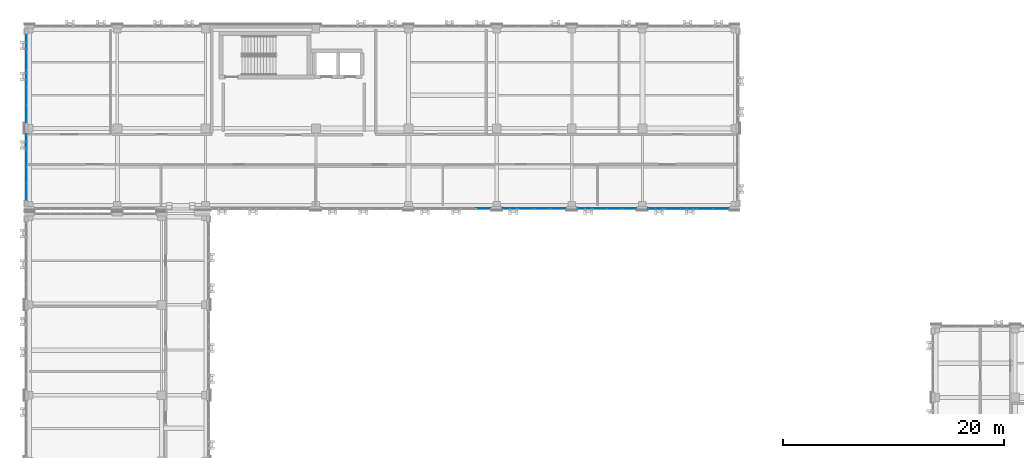
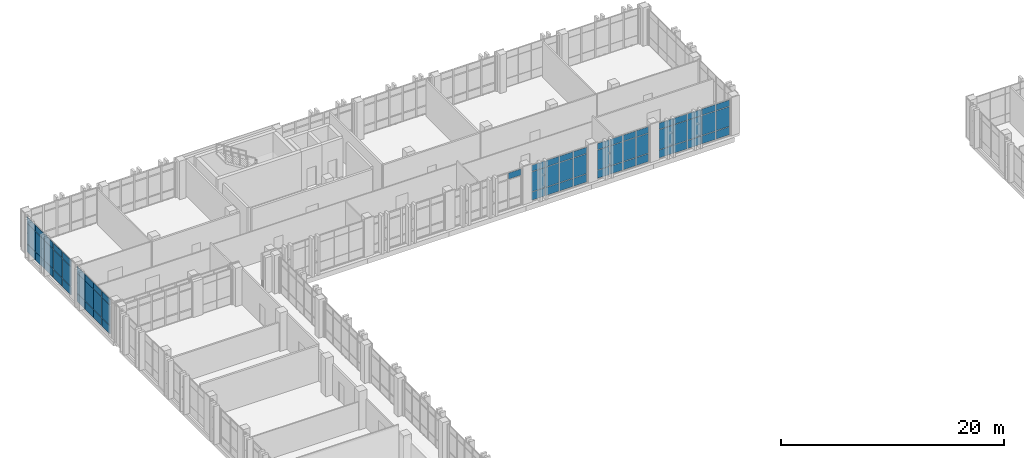
# One storey, part 145 of 193: 67 plates, 6 elements without a shape of their own.
"""IFC4 building model written with IfcOpenShell, lengths in metres."""

from ifc_helpers import new_model, si_unit, direction, frame, origin, origin_2d, place, context, subcontext, project, spatial, rectangle, extrude, material, layer, layer_set, type_object, element, aggregate, save


model = new_model("IFC4")

# Units and contexts
model_context = context("Model", 3, precision=1e-05, world=origin(), true_north=direction((0.0, 1.0)))
body_context = subcontext(model_context, "Body", "Model", "MODEL_VIEW")
ifc_project = project(units=[si_unit("LENGTHUNIT", "METRE"), si_unit("AREAUNIT", "SQUARE_METRE"), si_unit("VOLUMEUNIT", "CUBIC_METRE"), si_unit("PLANEANGLEUNIT", "RADIAN"), si_unit("MASSUNIT", "GRAM", prefix="KILO")], contexts=[model_context])

# Site, building, storey
site_placement = place(None, origin())
site = spatial("IfcSite", under=ifc_project, at=site_placement, CompositionType="ELEMENT")
building_placement = place(site_placement, origin())
building = spatial("IfcBuilding", under=site, at=building_placement, Name="Qalavern Law Courts", CompositionType="ELEMENT")
storey_placement = place(building_placement, frame((0.0, 0.0, 10.199951171875)))
storey = spatial("IfcBuildingStorey", under=building, at=storey_placement, Name="L02", CompositionType="ELEMENT", Elevation=10.199951171875)

# Curtain wall, plate
ifc_material_1 = material(Name="Anodised aluminium and insulated glazing", Category="aluminium")
ifc_layer_1 = layer(ifc_material_1, 0.166015625)
ifc_layer_set_1 = layer_set([ifc_layer_1], Name="Anodised aluminium and insulated glazing")
curtain_wall_type = type_object("IfcCurtainWallType", Name="ENV-CW-LIB", PredefinedType="USERDEFINED", material=ifc_layer_set_1)
curtain_wall_1_placement = place(storey_placement, origin())
curtain_wall_1 = element("IfcCurtainWall", 1, at=curtain_wall_1_placement, inside=storey, type_object=curtain_wall_type, Name="V5 unitised curtain wall L02 south 3", ObjectType="UNITISED CURTAIN WALL", PredefinedType="USERDEFINED")
ifc_material_2 = material(Name="Insulated low-E acoustic glazing", Category="glass")
ifc_layer_2 = layer(ifc_material_2, 0.028076171875)
ifc_layer_set_2 = layer_set([ifc_layer_2], Name="Insulated low-E acoustic glazing")
plate_type_1 = type_object("IfcPlateType", Name="ENV-CWP-28", PredefinedType="CURTAIN_PANEL", material=ifc_layer_set_2)
plate_1_placement = place(storey_placement, frame((43.587890625, 96.35498046875, 3.18896484375), z_axis=(0.0, 0.0, 1.0), x_axis=(1.0, 0.0, 0.0)))
plate_1 = element("IfcPlate", 2, at=plate_1_placement, type_object=plate_type_1, Name="CW-05 panel 5.3", PredefinedType="CURTAIN_PANEL", context=body_context, shape_type="SweptSolid", body=[
    extrude(rectangle(XDim=1.327880859375, YDim=0.028076171875, at=origin_2d()), origin(), (0.0, 0.0, 1.0), 0.677978515625),
])
aggregate(curtain_wall_1, [plate_1])

# Curtain wall, plates
curtain_wall_2_placement = place(storey_placement, origin())
curtain_wall_2 = element("IfcCurtainWall", 3, at=curtain_wall_2_placement, inside=storey, type_object=curtain_wall_type, Name="V5 unitised curtain wall L02 south 4", ObjectType="UNITISED CURTAIN WALL", PredefinedType="USERDEFINED")
ifc_layer_3 = layer(ifc_material_2, 0.031982421875)
ifc_layer_set_3 = layer_set([ifc_layer_3], Name="Insulated low-E acoustic glazing")
plate_type_2 = type_object("IfcPlateType", Name="ENV-CWP-32", PredefinedType="CURTAIN_PANEL", material=ifc_layer_set_3)
plate_2_placement = place(storey_placement, frame((46.037109375, 96.35498046875, 0.048095703125), z_axis=(0.0, 0.0, 1.0), x_axis=(1.0, 0.0, 0.0)))
plate_2 = element("IfcPlate", 4, at=plate_2_placement, type_object=plate_type_2, Name="CW-05 panel 1.1", PredefinedType="CURTAIN_PANEL", context=body_context, shape_type="SweptSolid", body=[
    extrude(rectangle(XDim=1.3779296875, YDim=0.031982421875, at=origin_2d()), origin(), (0.0, 0.0, 1.0), 0.8779296875),
])
plate_3_placement = place(storey_placement, frame((46.037109375, 96.35498046875, 0.97412109375), z_axis=(0.0, 0.0, 1.0), x_axis=(1.0, 0.0, 0.0)))
plate_3 = element("IfcPlate", 5, at=plate_3_placement, type_object=plate_type_2, Name="CW-05 panel 1.2", PredefinedType="CURTAIN_PANEL", context=body_context, shape_type="SweptSolid", body=[
    extrude(rectangle(XDim=1.3779296875, YDim=0.031982421875, at=origin_2d()), origin(), (0.0, 0.0, 1.0), 2.1669921875),
])
plate_4_placement = place(storey_placement, frame((46.037109375, 96.35498046875, 3.18896484375), z_axis=(0.0, 0.0, 1.0), x_axis=(1.0, 0.0, 0.0)))
plate_4 = element("IfcPlate", 6, at=plate_4_placement, type_object=plate_type_2, Name="CW-05 panel 1.3", PredefinedType="CURTAIN_PANEL", context=body_context, shape_type="SweptSolid", body=[
    extrude(rectangle(XDim=1.3779296875, YDim=0.031982421875, at=origin_2d()), origin(), (0.0, 0.0, 1.0), 0.677978515625),
])
plate_5_placement = place(storey_placement, frame((47.47509765625, 96.35498046875, 0.048095703125), z_axis=(0.0, 0.0, 1.0), x_axis=(1.0, 0.0, 0.0)))
plate_5 = element("IfcPlate", 7, at=plate_5_placement, type_object=plate_type_2, Name="CW-05 panel 2.1", PredefinedType="CURTAIN_PANEL", context=body_context, shape_type="SweptSolid", body=[
    extrude(rectangle(XDim=1.402099609375, YDim=0.031982421875, at=origin_2d()), origin(), (0.0, 0.0, 1.0), 0.8779296875),
])
plate_6_placement = place(storey_placement, frame((47.47509765625, 96.35498046875, 0.97412109375), z_axis=(0.0, 0.0, 1.0), x_axis=(1.0, 0.0, 0.0)))
plate_6 = element("IfcPlate", 8, at=plate_6_placement, type_object=plate_type_2, Name="CW-05 panel 2.2", PredefinedType="CURTAIN_PANEL", context=body_context, shape_type="SweptSolid", body=[
    extrude(rectangle(XDim=1.402099609375, YDim=0.031982421875, at=origin_2d()), origin(), (0.0, 0.0, 1.0), 2.1669921875),
])
plate_7_placement = place(storey_placement, frame((47.47509765625, 96.35498046875, 3.18896484375), z_axis=(0.0, 0.0, 1.0), x_axis=(1.0, 0.0, 0.0)))
plate_7 = element("IfcPlate", 9, at=plate_7_placement, type_object=plate_type_2, Name="CW-05 panel 2.3", PredefinedType="CURTAIN_PANEL", context=body_context, shape_type="SweptSolid", body=[
    extrude(rectangle(XDim=1.402099609375, YDim=0.031982421875, at=origin_2d()), origin(), (0.0, 0.0, 1.0), 0.677978515625),
])
plate_8_placement = place(storey_placement, frame((48.925048828125, 96.35498046875, 0.048095703125), z_axis=(0.0, 0.0, 1.0), x_axis=(1.0, 0.0, 0.0)))
plate_8 = element("IfcPlate", 10, at=plate_8_placement, type_object=plate_type_2, Name="CW-05 panel 3.1", PredefinedType="CURTAIN_PANEL", context=body_context, shape_type="SweptSolid", body=[
    extrude(rectangle(XDim=1.402099609375, YDim=0.031982421875, at=origin_2d()), origin(), (0.0, 0.0, 1.0), 0.8779296875),
])
plate_9_placement = place(storey_placement, frame((48.925048828125, 96.35498046875, 0.97412109375), z_axis=(0.0, 0.0, 1.0), x_axis=(1.0, 0.0, 0.0)))
plate_9 = element("IfcPlate", 11, at=plate_9_placement, type_object=plate_type_2, Name="CW-05 panel 3.2", PredefinedType="CURTAIN_PANEL", context=body_context, shape_type="SweptSolid", body=[
    extrude(rectangle(XDim=1.402099609375, YDim=0.031982421875, at=origin_2d()), origin(), (0.0, 0.0, 1.0), 2.1669921875),
])
plate_10_placement = place(storey_placement, frame((48.925048828125, 96.35498046875, 3.18896484375), z_axis=(0.0, 0.0, 1.0), x_axis=(1.0, 0.0, 0.0)))
plate_10 = element("IfcPlate", 12, at=plate_10_placement, type_object=plate_type_2, Name="CW-05 panel 3.3", PredefinedType="CURTAIN_PANEL", context=body_context, shape_type="SweptSolid", body=[
    extrude(rectangle(XDim=1.402099609375, YDim=0.031982421875, at=origin_2d()), origin(), (0.0, 0.0, 1.0), 0.677978515625),
])
plate_11_placement = place(storey_placement, frame((50.363037109375, 96.35498046875, 0.048095703125), z_axis=(0.0, 0.0, 1.0), x_axis=(1.0, 0.0, 0.0)))
plate_11 = element("IfcPlate", 13, at=plate_11_placement, type_object=plate_type_2, Name="CW-05 panel 4.1", PredefinedType="CURTAIN_PANEL", context=body_context, shape_type="SweptSolid", body=[
    extrude(rectangle(XDim=1.3779296875, YDim=0.031982421875, at=origin_2d()), origin(), (0.0, 0.0, 1.0), 0.8779296875),
])
plate_12_placement = place(storey_placement, frame((50.363037109375, 96.35498046875, 0.97412109375), z_axis=(0.0, 0.0, 1.0), x_axis=(1.0, 0.0, 0.0)))
plate_12 = element("IfcPlate", 14, at=plate_12_placement, type_object=plate_type_2, Name="CW-05 panel 4.2", PredefinedType="CURTAIN_PANEL", context=body_context, shape_type="SweptSolid", body=[
    extrude(rectangle(XDim=1.3779296875, YDim=0.031982421875, at=origin_2d()), origin(), (0.0, 0.0, 1.0), 2.1669921875),
])
plate_13_placement = place(storey_placement, frame((50.363037109375, 96.35498046875, 3.18896484375), z_axis=(0.0, 0.0, 1.0), x_axis=(1.0, 0.0, 0.0)))
plate_13 = element("IfcPlate", 15, at=plate_13_placement, type_object=plate_type_2, Name="CW-05 panel 4.3", PredefinedType="CURTAIN_PANEL", context=body_context, shape_type="SweptSolid", body=[
    extrude(rectangle(XDim=1.3779296875, YDim=0.031982421875, at=origin_2d()), origin(), (0.0, 0.0, 1.0), 0.677978515625),
])
aggregate(curtain_wall_2, [plate_2, plate_3, plate_4, plate_5, plate_6, plate_7, plate_8, plate_9, plate_10, plate_11, plate_12, plate_13])

curtain_wall_3_placement = place(storey_placement, origin())
curtain_wall_3 = element("IfcCurtainWall", 16, at=curtain_wall_3_placement, inside=storey, type_object=curtain_wall_type, Name="V5 unitised curtain wall L02 south 5", ObjectType="UNITISED CURTAIN WALL", PredefinedType="USERDEFINED")
ifc_layer_4 = layer(ifc_material_2, 0.035888671875)
ifc_layer_set_4 = layer_set([ifc_layer_4], Name="Insulated low-E acoustic glazing")
plate_type_3 = type_object("IfcPlateType", Name="ENV-CWP-36", PredefinedType="CURTAIN_PANEL", material=ifc_layer_set_4)
plate_14_placement = place(storey_placement, frame((52.787109375, 96.35498046875, 0.048095703125), z_axis=(0.0, 0.0, 1.0), x_axis=(1.0, 0.0, 0.0)))
plate_14 = element("IfcPlate", 17, at=plate_14_placement, type_object=plate_type_3, Name="CW-05 panel 1.1", PredefinedType="CURTAIN_PANEL", context=body_context, shape_type="SweptSolid", body=[
    extrude(rectangle(XDim=1.278076171875, YDim=0.035888671875, at=origin_2d()), origin(), (0.0, 0.0, 1.0), 0.8779296875),
])
plate_15_placement = place(storey_placement, frame((52.787109375, 96.35498046875, 0.97412109375), z_axis=(0.0, 0.0, 1.0), x_axis=(1.0, 0.0, 0.0)))
plate_15 = element("IfcPlate", 18, at=plate_15_placement, type_object=plate_type_3, Name="CW-05 panel 1.2", PredefinedType="CURTAIN_PANEL", context=body_context, shape_type="SweptSolid", body=[
    extrude(rectangle(XDim=1.278076171875, YDim=0.035888671875, at=origin_2d()), origin(), (0.0, 0.0, 1.0), 2.1669921875),
])
plate_16_placement = place(storey_placement, frame((52.787109375, 96.35498046875, 3.18896484375), z_axis=(0.0, 0.0, 1.0), x_axis=(1.0, 0.0, 0.0)))
plate_16 = element("IfcPlate", 19, at=plate_16_placement, type_object=plate_type_3, Name="CW-05 panel 1.3", PredefinedType="CURTAIN_PANEL", context=body_context, shape_type="SweptSolid", body=[
    extrude(rectangle(XDim=1.278076171875, YDim=0.035888671875, at=origin_2d()), origin(), (0.0, 0.0, 1.0), 0.677978515625),
])
plate_17_placement = place(storey_placement, frame((54.125, 96.35498046875, 0.048095703125), z_axis=(0.0, 0.0, 1.0), x_axis=(1.0, 0.0, 0.0)))
plate_17 = element("IfcPlate", 20, at=plate_17_placement, type_object=plate_type_3, Name="CW-05 panel 2.1", PredefinedType="CURTAIN_PANEL", context=body_context, shape_type="SweptSolid", body=[
    extrude(rectangle(XDim=1.302001953125, YDim=0.035888671875, at=origin_2d()), origin(), (0.0, 0.0, 1.0), 0.8779296875),
])
plate_18_placement = place(storey_placement, frame((54.125, 96.35498046875, 0.97412109375), z_axis=(0.0, 0.0, 1.0), x_axis=(1.0, 0.0, 0.0)))
plate_18 = element("IfcPlate", 21, at=plate_18_placement, type_object=plate_type_3, Name="CW-05 panel 2.2", PredefinedType="CURTAIN_PANEL", context=body_context, shape_type="SweptSolid", body=[
    extrude(rectangle(XDim=1.302001953125, YDim=0.035888671875, at=origin_2d()), origin(), (0.0, 0.0, 1.0), 2.1669921875),
])
plate_19_placement = place(storey_placement, frame((54.125, 96.35498046875, 3.18896484375), z_axis=(0.0, 0.0, 1.0), x_axis=(1.0, 0.0, 0.0)))
plate_19 = element("IfcPlate", 22, at=plate_19_placement, type_object=plate_type_3, Name="CW-05 panel 2.3", PredefinedType="CURTAIN_PANEL", context=body_context, shape_type="SweptSolid", body=[
    extrude(rectangle(XDim=1.302001953125, YDim=0.035888671875, at=origin_2d()), origin(), (0.0, 0.0, 1.0), 0.677978515625),
])
plate_20_placement = place(storey_placement, frame((55.47509765625, 96.35498046875, 0.048095703125), z_axis=(0.0, 0.0, 1.0), x_axis=(1.0, 0.0, 0.0)))
plate_20 = element("IfcPlate", 23, at=plate_20_placement, type_object=plate_type_3, Name="CW-05 panel 3.1", PredefinedType="CURTAIN_PANEL", context=body_context, shape_type="SweptSolid", body=[
    extrude(rectangle(XDim=1.302001953125, YDim=0.035888671875, at=origin_2d()), origin(), (0.0, 0.0, 1.0), 0.8779296875),
])
plate_21_placement = place(storey_placement, frame((55.47509765625, 96.35498046875, 0.97412109375), z_axis=(0.0, 0.0, 1.0), x_axis=(1.0, 0.0, 0.0)))
plate_21 = element("IfcPlate", 24, at=plate_21_placement, type_object=plate_type_3, Name="CW-05 panel 3.2", PredefinedType="CURTAIN_PANEL", context=body_context, shape_type="SweptSolid", body=[
    extrude(rectangle(XDim=1.302001953125, YDim=0.035888671875, at=origin_2d()), origin(), (0.0, 0.0, 1.0), 2.1669921875),
])
plate_22_placement = place(storey_placement, frame((55.47509765625, 96.35498046875, 3.18896484375), z_axis=(0.0, 0.0, 1.0), x_axis=(1.0, 0.0, 0.0)))
plate_22 = element("IfcPlate", 25, at=plate_22_placement, type_object=plate_type_3, Name="CW-05 panel 3.3", PredefinedType="CURTAIN_PANEL", context=body_context, shape_type="SweptSolid", body=[
    extrude(rectangle(XDim=1.302001953125, YDim=0.035888671875, at=origin_2d()), origin(), (0.0, 0.0, 1.0), 0.677978515625),
])
plate_23_placement = place(storey_placement, frame((56.81298828125, 96.35498046875, 0.048095703125), z_axis=(0.0, 0.0, 1.0), x_axis=(1.0, 0.0, 0.0)))
plate_23 = element("IfcPlate", 26, at=plate_23_placement, type_object=plate_type_3, Name="CW-05 panel 4.1", PredefinedType="CURTAIN_PANEL", context=body_context, shape_type="SweptSolid", body=[
    extrude(rectangle(XDim=1.278076171875, YDim=0.035888671875, at=origin_2d()), origin(), (0.0, 0.0, 1.0), 0.8779296875),
])
plate_24_placement = place(storey_placement, frame((56.81298828125, 96.35498046875, 0.97412109375), z_axis=(0.0, 0.0, 1.0), x_axis=(1.0, 0.0, 0.0)))
plate_24 = element("IfcPlate", 27, at=plate_24_placement, type_object=plate_type_3, Name="CW-05 panel 4.2", PredefinedType="CURTAIN_PANEL", context=body_context, shape_type="SweptSolid", body=[
    extrude(rectangle(XDim=1.278076171875, YDim=0.035888671875, at=origin_2d()), origin(), (0.0, 0.0, 1.0), 2.1669921875),
])
plate_25_placement = place(storey_placement, frame((56.81298828125, 96.35498046875, 3.18896484375), z_axis=(0.0, 0.0, 1.0), x_axis=(1.0, 0.0, 0.0)))
plate_25 = element("IfcPlate", 28, at=plate_25_placement, type_object=plate_type_3, Name="CW-05 panel 4.3", PredefinedType="CURTAIN_PANEL", context=body_context, shape_type="SweptSolid", body=[
    extrude(rectangle(XDim=1.278076171875, YDim=0.035888671875, at=origin_2d()), origin(), (0.0, 0.0, 1.0), 0.677978515625),
])
aggregate(curtain_wall_3, [plate_14, plate_15, plate_16, plate_17, plate_18, plate_19, plate_20, plate_21, plate_22, plate_23, plate_24, plate_25])

curtain_wall_4_placement = place(storey_placement, origin())
curtain_wall_4 = element("IfcCurtainWall", 29, at=curtain_wall_4_placement, inside=storey, type_object=curtain_wall_type, Name="V5 unitised curtain wall L02 south 6", ObjectType="UNITISED CURTAIN WALL", PredefinedType="USERDEFINED")
ifc_layer_5 = layer(ifc_material_2, 0.0400390625)
ifc_layer_set_5 = layer_set([ifc_layer_5], Name="Insulated low-E acoustic glazing")
plate_type_4 = type_object("IfcPlateType", Name="ENV-CWP-40", PredefinedType="CURTAIN_PANEL", material=ifc_layer_set_5)
plate_26_placement = place(storey_placement, frame((59.251953125, 96.35498046875, 0.048095703125), z_axis=(0.0, 0.0, 1.0), x_axis=(1.0, 0.0, 0.0)))
plate_26 = element("IfcPlate", 30, at=plate_26_placement, type_object=plate_type_4, Name="CW-05 panel 1.1", PredefinedType="CURTAIN_PANEL", context=body_context, shape_type="SweptSolid", body=[
    extrude(rectangle(XDim=1.407958984375, YDim=0.0400390625, at=origin_2d()), origin(), (0.0, 0.0, 1.0), 0.8779296875),
])
plate_27_placement = place(storey_placement, frame((59.251953125, 96.35498046875, 0.97412109375), z_axis=(0.0, 0.0, 1.0), x_axis=(1.0, 0.0, 0.0)))
plate_27 = element("IfcPlate", 31, at=plate_27_placement, type_object=plate_type_4, Name="CW-05 panel 1.2", PredefinedType="CURTAIN_PANEL", context=body_context, shape_type="SweptSolid", body=[
    extrude(rectangle(XDim=1.407958984375, YDim=0.0400390625, at=origin_2d()), origin(), (0.0, 0.0, 1.0), 2.1669921875),
])
plate_28_placement = place(storey_placement, frame((59.251953125, 96.35498046875, 3.18896484375), z_axis=(0.0, 0.0, 1.0), x_axis=(1.0, 0.0, 0.0)))
plate_28 = element("IfcPlate", 32, at=plate_28_placement, type_object=plate_type_4, Name="CW-05 panel 1.3", PredefinedType="CURTAIN_PANEL", context=body_context, shape_type="SweptSolid", body=[
    extrude(rectangle(XDim=1.407958984375, YDim=0.0400390625, at=origin_2d()), origin(), (0.0, 0.0, 1.0), 0.677978515625),
])
plate_29_placement = place(storey_placement, frame((60.719970703125, 96.35498046875, 0.048095703125), z_axis=(0.0, 0.0, 1.0), x_axis=(1.0, 0.0, 0.0)))
plate_29 = element("IfcPlate", 33, at=plate_29_placement, type_object=plate_type_4, Name="CW-05 panel 2.1", PredefinedType="CURTAIN_PANEL", context=body_context, shape_type="SweptSolid", body=[
    extrude(rectangle(XDim=1.431884765625, YDim=0.0400390625, at=origin_2d()), origin(), (0.0, 0.0, 1.0), 0.8779296875),
])
plate_30_placement = place(storey_placement, frame((60.719970703125, 96.35498046875, 0.97412109375), z_axis=(0.0, 0.0, 1.0), x_axis=(1.0, 0.0, 0.0)))
plate_30 = element("IfcPlate", 34, at=plate_30_placement, type_object=plate_type_4, Name="CW-05 panel 2.2", PredefinedType="CURTAIN_PANEL", context=body_context, shape_type="SweptSolid", body=[
    extrude(rectangle(XDim=1.431884765625, YDim=0.0400390625, at=origin_2d()), origin(), (0.0, 0.0, 1.0), 2.1669921875),
])
plate_31_placement = place(storey_placement, frame((60.719970703125, 96.35498046875, 3.18896484375), z_axis=(0.0, 0.0, 1.0), x_axis=(1.0, 0.0, 0.0)))
plate_31 = element("IfcPlate", 35, at=plate_31_placement, type_object=plate_type_4, Name="CW-05 panel 2.3", PredefinedType="CURTAIN_PANEL", context=body_context, shape_type="SweptSolid", body=[
    extrude(rectangle(XDim=1.431884765625, YDim=0.0400390625, at=origin_2d()), origin(), (0.0, 0.0, 1.0), 0.677978515625),
])
plate_32_placement = place(storey_placement, frame((62.199951171875, 96.35498046875, 0.048095703125), z_axis=(0.0, 0.0, 1.0), x_axis=(1.0, 0.0, 0.0)))
plate_32 = element("IfcPlate", 36, at=plate_32_placement, type_object=plate_type_4, Name="CW-05 panel 3.1", PredefinedType="CURTAIN_PANEL", context=body_context, shape_type="SweptSolid", body=[
    extrude(rectangle(XDim=1.431884765625, YDim=0.0400390625, at=origin_2d()), origin(), (0.0, 0.0, 1.0), 0.8779296875),
])
plate_33_placement = place(storey_placement, frame((62.199951171875, 96.35498046875, 0.97412109375), z_axis=(0.0, 0.0, 1.0), x_axis=(1.0, 0.0, 0.0)))
plate_33 = element("IfcPlate", 37, at=plate_33_placement, type_object=plate_type_4, Name="CW-05 panel 3.2", PredefinedType="CURTAIN_PANEL", context=body_context, shape_type="SweptSolid", body=[
    extrude(rectangle(XDim=1.431884765625, YDim=0.0400390625, at=origin_2d()), origin(), (0.0, 0.0, 1.0), 2.1669921875),
])
plate_34_placement = place(storey_placement, frame((62.199951171875, 96.35498046875, 3.18896484375), z_axis=(0.0, 0.0, 1.0), x_axis=(1.0, 0.0, 0.0)))
plate_34 = element("IfcPlate", 38, at=plate_34_placement, type_object=plate_type_4, Name="CW-05 panel 3.3", PredefinedType="CURTAIN_PANEL", context=body_context, shape_type="SweptSolid", body=[
    extrude(rectangle(XDim=1.431884765625, YDim=0.0400390625, at=origin_2d()), origin(), (0.0, 0.0, 1.0), 0.677978515625),
])
plate_35_placement = place(storey_placement, frame((63.679931640625, 96.35498046875, 0.048095703125), z_axis=(0.0, 0.0, 1.0), x_axis=(1.0, 0.0, 0.0)))
plate_35 = element("IfcPlate", 39, at=plate_35_placement, type_object=plate_type_4, Name="CW-05 panel 4.1", PredefinedType="CURTAIN_PANEL", context=body_context, shape_type="SweptSolid", body=[
    extrude(rectangle(XDim=1.431884765625, YDim=0.0400390625, at=origin_2d()), origin(), (0.0, 0.0, 1.0), 0.8779296875),
])
plate_36_placement = place(storey_placement, frame((63.679931640625, 96.35498046875, 0.97412109375), z_axis=(0.0, 0.0, 1.0), x_axis=(1.0, 0.0, 0.0)))
plate_36 = element("IfcPlate", 40, at=plate_36_placement, type_object=plate_type_4, Name="CW-05 panel 4.2", PredefinedType="CURTAIN_PANEL", context=body_context, shape_type="SweptSolid", body=[
    extrude(rectangle(XDim=1.431884765625, YDim=0.0400390625, at=origin_2d()), origin(), (0.0, 0.0, 1.0), 2.1669921875),
])
plate_37_placement = place(storey_placement, frame((63.679931640625, 96.35498046875, 3.18896484375), z_axis=(0.0, 0.0, 1.0), x_axis=(1.0, 0.0, 0.0)))
plate_37 = element("IfcPlate", 41, at=plate_37_placement, type_object=plate_type_4, Name="CW-05 panel 4.3", PredefinedType="CURTAIN_PANEL", context=body_context, shape_type="SweptSolid", body=[
    extrude(rectangle(XDim=1.431884765625, YDim=0.0400390625, at=origin_2d()), origin(), (0.0, 0.0, 1.0), 0.677978515625),
])
plate_38_placement = place(storey_placement, frame((65.14794921875, 96.35498046875, 0.048095703125), z_axis=(0.0, 0.0, 1.0), x_axis=(1.0, 0.0, 0.0)))
plate_38 = element("IfcPlate", 42, at=plate_38_placement, type_object=plate_type_4, Name="CW-05 panel 5.1", PredefinedType="CURTAIN_PANEL", context=body_context, shape_type="SweptSolid", body=[
    extrude(rectangle(XDim=1.407958984375, YDim=0.0400390625, at=origin_2d()), origin(), (0.0, 0.0, 1.0), 0.8779296875),
])
plate_39_placement = place(storey_placement, frame((65.14794921875, 96.35498046875, 0.97412109375), z_axis=(0.0, 0.0, 1.0), x_axis=(1.0, 0.0, 0.0)))
plate_39 = element("IfcPlate", 43, at=plate_39_placement, type_object=plate_type_4, Name="CW-05 panel 5.2", PredefinedType="CURTAIN_PANEL", context=body_context, shape_type="SweptSolid", body=[
    extrude(rectangle(XDim=1.407958984375, YDim=0.0400390625, at=origin_2d()), origin(), (0.0, 0.0, 1.0), 2.1669921875),
])
plate_40_placement = place(storey_placement, frame((65.14794921875, 96.35498046875, 3.18896484375), z_axis=(0.0, 0.0, 1.0), x_axis=(1.0, 0.0, 0.0)))
plate_40 = element("IfcPlate", 44, at=plate_40_placement, type_object=plate_type_4, Name="CW-05 panel 5.3", PredefinedType="CURTAIN_PANEL", context=body_context, shape_type="SweptSolid", body=[
    extrude(rectangle(XDim=1.407958984375, YDim=0.0400390625, at=origin_2d()), origin(), (0.0, 0.0, 1.0), 0.677978515625),
])
aggregate(curtain_wall_4, [plate_26, plate_27, plate_28, plate_29, plate_30, plate_31, plate_32, plate_33, plate_34, plate_35, plate_36, plate_37, plate_38, plate_39, plate_40])

curtain_wall_5_placement = place(storey_placement, origin())
curtain_wall_5 = element("IfcCurtainWall", 45, at=curtain_wall_5_placement, inside=storey, type_object=curtain_wall_type, Name="V5 unitised curtain wall L02 west 1", ObjectType="UNITISED CURTAIN WALL", PredefinedType="USERDEFINED")
ifc_layer_6 = layer(ifc_material_2, 0.048095703125)
ifc_layer_set_6 = layer_set([ifc_layer_6], Name="Insulated low-E acoustic glazing")
plate_type_5 = type_object("IfcPlateType", Name="ENV-CWP-48", PredefinedType="CURTAIN_PANEL", material=ifc_layer_set_6)
plate_41_placement = place(storey_placement, frame((2.155029296875, 111.2880859375, 0.048095703125), z_axis=(0.0, 0.0, 1.0), x_axis=(0.0, -1.0, 0.0)))
plate_41 = element("IfcPlate", 46, at=plate_41_placement, type_object=plate_type_5, Name="CW-05 panel 1.1", PredefinedType="CURTAIN_PANEL", context=body_context, shape_type="SweptSolid", body=[
    extrude(rectangle(XDim=1.528076171875, YDim=0.048095703125, at=origin_2d()), origin(), (0.0, 0.0, 1.0), 0.8779296875),
])
plate_42_placement = place(storey_placement, frame((2.155029296875, 111.2880859375, 0.97412109375), z_axis=(0.0, 0.0, 1.0), x_axis=(0.0, -1.0, 0.0)))
plate_42 = element("IfcPlate", 47, at=plate_42_placement, type_object=plate_type_5, Name="CW-05 panel 1.2", PredefinedType="CURTAIN_PANEL", context=body_context, shape_type="SweptSolid", body=[
    extrude(rectangle(XDim=1.528076171875, YDim=0.048095703125, at=origin_2d()), origin(), (0.0, 0.0, 1.0), 2.1669921875),
])
plate_43_placement = place(storey_placement, frame((2.155029296875, 111.2880859375, 3.18896484375), z_axis=(0.0, 0.0, 1.0), x_axis=(0.0, -1.0, 0.0)))
plate_43 = element("IfcPlate", 48, at=plate_43_placement, type_object=plate_type_5, Name="CW-05 panel 1.3", PredefinedType="CURTAIN_PANEL", context=body_context, shape_type="SweptSolid", body=[
    extrude(rectangle(XDim=1.528076171875, YDim=0.048095703125, at=origin_2d()), origin(), (0.0, 0.0, 1.0), 0.677978515625),
])
plate_44_placement = place(storey_placement, frame((2.155029296875, 109.699951171875, 0.048095703125), z_axis=(0.0, 0.0, 1.0), x_axis=(0.0, -1.0, 0.0)))
plate_44 = element("IfcPlate", 49, at=plate_44_placement, type_object=plate_type_5, Name="CW-05 panel 2.1", PredefinedType="CURTAIN_PANEL", context=body_context, shape_type="SweptSolid", body=[
    extrude(rectangle(XDim=1.552001953125, YDim=0.048095703125, at=origin_2d()), origin(), (0.0, 0.0, 1.0), 0.8779296875),
])
plate_45_placement = place(storey_placement, frame((2.155029296875, 109.699951171875, 0.97412109375), z_axis=(0.0, 0.0, 1.0), x_axis=(0.0, -1.0, 0.0)))
plate_45 = element("IfcPlate", 50, at=plate_45_placement, type_object=plate_type_5, Name="CW-05 panel 2.2", PredefinedType="CURTAIN_PANEL", context=body_context, shape_type="SweptSolid", body=[
    extrude(rectangle(XDim=1.552001953125, YDim=0.048095703125, at=origin_2d()), origin(), (0.0, 0.0, 1.0), 2.1669921875),
])
plate_46_placement = place(storey_placement, frame((2.155029296875, 109.699951171875, 3.18896484375), z_axis=(0.0, 0.0, 1.0), x_axis=(0.0, -1.0, 0.0)))
plate_46 = element("IfcPlate", 51, at=plate_46_placement, type_object=plate_type_5, Name="CW-05 panel 2.3", PredefinedType="CURTAIN_PANEL", context=body_context, shape_type="SweptSolid", body=[
    extrude(rectangle(XDim=1.552001953125, YDim=0.048095703125, at=origin_2d()), origin(), (0.0, 0.0, 1.0), 0.677978515625),
])
plate_47_placement = place(storey_placement, frame((2.155029296875, 108.10009765625, 0.048095703125), z_axis=(0.0, 0.0, 1.0), x_axis=(0.0, -1.0, 0.0)))
plate_47 = element("IfcPlate", 52, at=plate_47_placement, type_object=plate_type_5, Name="CW-05 panel 3.1", PredefinedType="CURTAIN_PANEL", context=body_context, shape_type="SweptSolid", body=[
    extrude(rectangle(XDim=1.552001953125, YDim=0.048095703125, at=origin_2d()), origin(), (0.0, 0.0, 1.0), 0.8779296875),
])
plate_48_placement = place(storey_placement, frame((2.155029296875, 108.10009765625, 0.97412109375), z_axis=(0.0, 0.0, 1.0), x_axis=(0.0, -1.0, 0.0)))
plate_48 = element("IfcPlate", 53, at=plate_48_placement, type_object=plate_type_5, Name="CW-05 panel 3.2", PredefinedType="CURTAIN_PANEL", context=body_context, shape_type="SweptSolid", body=[
    extrude(rectangle(XDim=1.552001953125, YDim=0.048095703125, at=origin_2d()), origin(), (0.0, 0.0, 1.0), 2.1669921875),
])
plate_49_placement = place(storey_placement, frame((2.155029296875, 108.10009765625, 3.18896484375), z_axis=(0.0, 0.0, 1.0), x_axis=(0.0, -1.0, 0.0)))
plate_49 = element("IfcPlate", 54, at=plate_49_placement, type_object=plate_type_5, Name="CW-05 panel 3.3", PredefinedType="CURTAIN_PANEL", context=body_context, shape_type="SweptSolid", body=[
    extrude(rectangle(XDim=1.552001953125, YDim=0.048095703125, at=origin_2d()), origin(), (0.0, 0.0, 1.0), 0.677978515625),
])
plate_50_placement = place(storey_placement, frame((2.155029296875, 106.5, 0.048095703125), z_axis=(0.0, 0.0, 1.0), x_axis=(0.0, -1.0, 0.0)))
plate_50 = element("IfcPlate", 55, at=plate_50_placement, type_object=plate_type_5, Name="CW-05 panel 4.1", PredefinedType="CURTAIN_PANEL", context=body_context, shape_type="SweptSolid", body=[
    extrude(rectangle(XDim=1.552001953125, YDim=0.048095703125, at=origin_2d()), origin(), (0.0, 0.0, 1.0), 0.8779296875),
])
plate_51_placement = place(storey_placement, frame((2.155029296875, 106.5, 0.97412109375), z_axis=(0.0, 0.0, 1.0), x_axis=(0.0, -1.0, 0.0)))
plate_51 = element("IfcPlate", 56, at=plate_51_placement, type_object=plate_type_5, Name="CW-05 panel 4.2", PredefinedType="CURTAIN_PANEL", context=body_context, shape_type="SweptSolid", body=[
    extrude(rectangle(XDim=1.552001953125, YDim=0.048095703125, at=origin_2d()), origin(), (0.0, 0.0, 1.0), 2.1669921875),
])
plate_52_placement = place(storey_placement, frame((2.155029296875, 106.5, 3.18896484375), z_axis=(0.0, 0.0, 1.0), x_axis=(0.0, -1.0, 0.0)))
plate_52 = element("IfcPlate", 57, at=plate_52_placement, type_object=plate_type_5, Name="CW-05 panel 4.3", PredefinedType="CURTAIN_PANEL", context=body_context, shape_type="SweptSolid", body=[
    extrude(rectangle(XDim=1.552001953125, YDim=0.048095703125, at=origin_2d()), origin(), (0.0, 0.0, 1.0), 0.677978515625),
])
plate_53_placement = place(storey_placement, frame((2.155029296875, 104.912109375, 0.048095703125), z_axis=(0.0, 0.0, 1.0), x_axis=(0.0, -1.0, 0.0)))
plate_53 = element("IfcPlate", 58, at=plate_53_placement, type_object=plate_type_5, Name="CW-05 panel 5.1", PredefinedType="CURTAIN_PANEL", context=body_context, shape_type="SweptSolid", body=[
    extrude(rectangle(XDim=1.528076171875, YDim=0.048095703125, at=origin_2d()), origin(), (0.0, 0.0, 1.0), 0.8779296875),
])
plate_54_placement = place(storey_placement, frame((2.155029296875, 104.912109375, 0.97412109375), z_axis=(0.0, 0.0, 1.0), x_axis=(0.0, -1.0, 0.0)))
plate_54 = element("IfcPlate", 59, at=plate_54_placement, type_object=plate_type_5, Name="CW-05 panel 5.2", PredefinedType="CURTAIN_PANEL", context=body_context, shape_type="SweptSolid", body=[
    extrude(rectangle(XDim=1.528076171875, YDim=0.048095703125, at=origin_2d()), origin(), (0.0, 0.0, 1.0), 2.1669921875),
])
plate_55_placement = place(storey_placement, frame((2.155029296875, 104.912109375, 3.18896484375), z_axis=(0.0, 0.0, 1.0), x_axis=(0.0, -1.0, 0.0)))
plate_55 = element("IfcPlate", 60, at=plate_55_placement, type_object=plate_type_5, Name="CW-05 panel 5.3", PredefinedType="CURTAIN_PANEL", context=body_context, shape_type="SweptSolid", body=[
    extrude(rectangle(XDim=1.528076171875, YDim=0.048095703125, at=origin_2d()), origin(), (0.0, 0.0, 1.0), 0.677978515625),
])
aggregate(curtain_wall_5, [plate_41, plate_42, plate_43, plate_44, plate_45, plate_46, plate_47, plate_48, plate_49, plate_50, plate_51, plate_52, plate_53, plate_54, plate_55])

curtain_wall_6_placement = place(storey_placement, origin())
curtain_wall_6 = element("IfcCurtainWall", 61, at=curtain_wall_6_placement, inside=storey, type_object=curtain_wall_type, Name="V5 unitised curtain wall L02 west 2", ObjectType="UNITISED CURTAIN WALL", PredefinedType="USERDEFINED")
ifc_layer_7 = layer(ifc_material_2, 0.052001953125)
ifc_layer_set_7 = layer_set([ifc_layer_7], Name="Insulated low-E acoustic glazing")
plate_type_6 = type_object("IfcPlateType", Name="ENV-CWP-52", PredefinedType="CURTAIN_PANEL", material=ifc_layer_set_7)
plate_56_placement = place(storey_placement, frame((2.155029296875, 102.337890625, 0.048095703125), z_axis=(0.0, 0.0, 1.0), x_axis=(0.0, -1.0, 0.0)))
plate_56 = element("IfcPlate", 62, at=plate_56_placement, type_object=plate_type_6, Name="CW-05 panel 1.1", PredefinedType="CURTAIN_PANEL", context=body_context, shape_type="SweptSolid", body=[
    extrude(rectangle(XDim=1.427978515625, YDim=0.052001953125, at=origin_2d()), origin(), (0.0, 0.0, 1.0), 0.8779296875),
])
plate_57_placement = place(storey_placement, frame((2.155029296875, 102.337890625, 0.97412109375), z_axis=(0.0, 0.0, 1.0), x_axis=(0.0, -1.0, 0.0)))
plate_57 = element("IfcPlate", 63, at=plate_57_placement, type_object=plate_type_6, Name="CW-05 panel 1.2", PredefinedType="CURTAIN_PANEL", context=body_context, shape_type="SweptSolid", body=[
    extrude(rectangle(XDim=1.427978515625, YDim=0.052001953125, at=origin_2d()), origin(), (0.0, 0.0, 1.0), 2.1669921875),
])
plate_58_placement = place(storey_placement, frame((2.155029296875, 102.337890625, 3.18896484375), z_axis=(0.0, 0.0, 1.0), x_axis=(0.0, -1.0, 0.0)))
plate_58 = element("IfcPlate", 64, at=plate_58_placement, type_object=plate_type_6, Name="CW-05 panel 1.3", PredefinedType="CURTAIN_PANEL", context=body_context, shape_type="SweptSolid", body=[
    extrude(rectangle(XDim=1.427978515625, YDim=0.052001953125, at=origin_2d()), origin(), (0.0, 0.0, 1.0), 0.677978515625),
])
plate_59_placement = place(storey_placement, frame((2.155029296875, 100.85009765625, 0.048095703125), z_axis=(0.0, 0.0, 1.0), x_axis=(0.0, -1.0, 0.0)))
plate_59 = element("IfcPlate", 65, at=plate_59_placement, type_object=plate_type_6, Name="CW-05 panel 2.1", PredefinedType="CURTAIN_PANEL", context=body_context, shape_type="SweptSolid", body=[
    extrude(rectangle(XDim=1.451904296875, YDim=0.052001953125, at=origin_2d()), origin(), (0.0, 0.0, 1.0), 0.8779296875),
])
plate_60_placement = place(storey_placement, frame((2.155029296875, 100.85009765625, 0.97412109375), z_axis=(0.0, 0.0, 1.0), x_axis=(0.0, -1.0, 0.0)))
plate_60 = element("IfcPlate", 66, at=plate_60_placement, type_object=plate_type_6, Name="CW-05 panel 2.2", PredefinedType="CURTAIN_PANEL", context=body_context, shape_type="SweptSolid", body=[
    extrude(rectangle(XDim=1.451904296875, YDim=0.052001953125, at=origin_2d()), origin(), (0.0, 0.0, 1.0), 2.1669921875),
])
plate_61_placement = place(storey_placement, frame((2.155029296875, 100.85009765625, 3.18896484375), z_axis=(0.0, 0.0, 1.0), x_axis=(0.0, -1.0, 0.0)))
plate_61 = element("IfcPlate", 67, at=plate_61_placement, type_object=plate_type_6, Name="CW-05 panel 2.3", PredefinedType="CURTAIN_PANEL", context=body_context, shape_type="SweptSolid", body=[
    extrude(rectangle(XDim=1.451904296875, YDim=0.052001953125, at=origin_2d()), origin(), (0.0, 0.0, 1.0), 0.677978515625),
])
plate_62_placement = place(storey_placement, frame((2.155029296875, 99.35009765625, 0.048095703125), z_axis=(0.0, 0.0, 1.0), x_axis=(0.0, -1.0, 0.0)))
plate_62 = element("IfcPlate", 68, at=plate_62_placement, type_object=plate_type_6, Name="CW-05 panel 3.1", PredefinedType="CURTAIN_PANEL", context=body_context, shape_type="SweptSolid", body=[
    extrude(rectangle(XDim=1.451904296875, YDim=0.052001953125, at=origin_2d()), origin(), (0.0, 0.0, 1.0), 0.8779296875),
])
plate_63_placement = place(storey_placement, frame((2.155029296875, 99.35009765625, 0.97412109375), z_axis=(0.0, 0.0, 1.0), x_axis=(0.0, -1.0, 0.0)))
plate_63 = element("IfcPlate", 69, at=plate_63_placement, type_object=plate_type_6, Name="CW-05 panel 3.2", PredefinedType="CURTAIN_PANEL", context=body_context, shape_type="SweptSolid", body=[
    extrude(rectangle(XDim=1.451904296875, YDim=0.052001953125, at=origin_2d()), origin(), (0.0, 0.0, 1.0), 2.1669921875),
])
plate_64_placement = place(storey_placement, frame((2.155029296875, 99.35009765625, 3.18896484375), z_axis=(0.0, 0.0, 1.0), x_axis=(0.0, -1.0, 0.0)))
plate_64 = element("IfcPlate", 70, at=plate_64_placement, type_object=plate_type_6, Name="CW-05 panel 3.3", PredefinedType="CURTAIN_PANEL", context=body_context, shape_type="SweptSolid", body=[
    extrude(rectangle(XDim=1.451904296875, YDim=0.052001953125, at=origin_2d()), origin(), (0.0, 0.0, 1.0), 0.677978515625),
])
plate_65_placement = place(storey_placement, frame((2.155029296875, 97.862060546875, 0.048095703125), z_axis=(0.0, 0.0, 1.0), x_axis=(0.0, -1.0, 0.0)))
plate_65 = element("IfcPlate", 71, at=plate_65_placement, type_object=plate_type_6, Name="CW-05 panel 4.1", PredefinedType="CURTAIN_PANEL", context=body_context, shape_type="SweptSolid", body=[
    extrude(rectangle(XDim=1.427978515625, YDim=0.052001953125, at=origin_2d()), origin(), (0.0, 0.0, 1.0), 0.8779296875),
])
plate_66_placement = place(storey_placement, frame((2.155029296875, 97.862060546875, 0.97412109375), z_axis=(0.0, 0.0, 1.0), x_axis=(0.0, -1.0, 0.0)))
plate_66 = element("IfcPlate", 72, at=plate_66_placement, type_object=plate_type_6, Name="CW-05 panel 4.2", PredefinedType="CURTAIN_PANEL", context=body_context, shape_type="SweptSolid", body=[
    extrude(rectangle(XDim=1.427978515625, YDim=0.052001953125, at=origin_2d()), origin(), (0.0, 0.0, 1.0), 2.1669921875),
])
plate_67_placement = place(storey_placement, frame((2.155029296875, 97.862060546875, 3.18896484375), z_axis=(0.0, 0.0, 1.0), x_axis=(0.0, -1.0, 0.0)))
plate_67 = element("IfcPlate", 73, at=plate_67_placement, type_object=plate_type_6, Name="CW-05 panel 4.3", PredefinedType="CURTAIN_PANEL", context=body_context, shape_type="SweptSolid", body=[
    extrude(rectangle(XDim=1.427978515625, YDim=0.052001953125, at=origin_2d()), origin(), (0.0, 0.0, 1.0), 0.677978515625),
])
aggregate(curtain_wall_6, [plate_56, plate_57, plate_58, plate_59, plate_60, plate_61, plate_62, plate_63, plate_64, plate_65, plate_66, plate_67])

save(model, "model.ifc")
